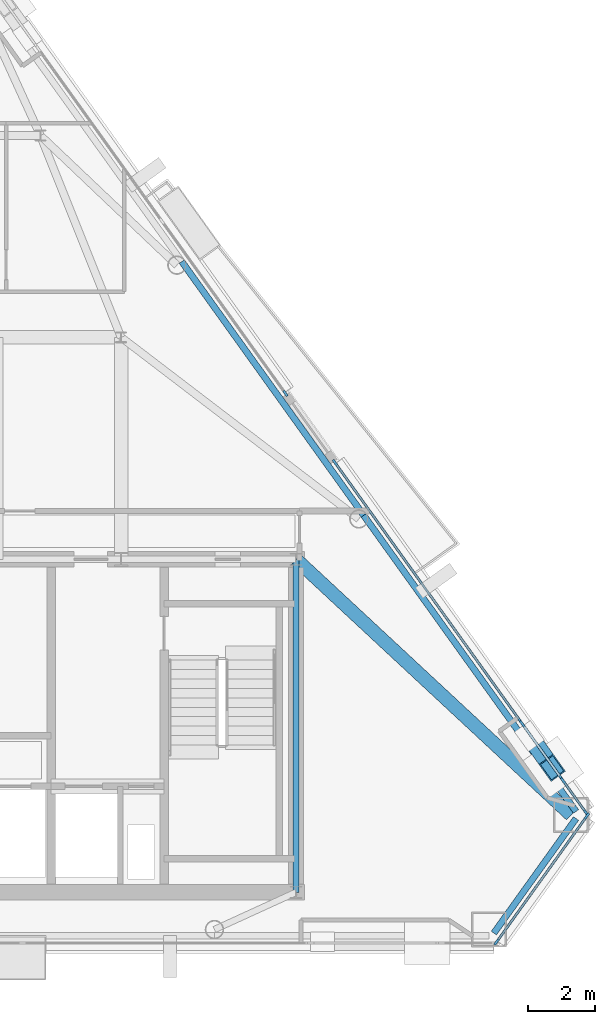
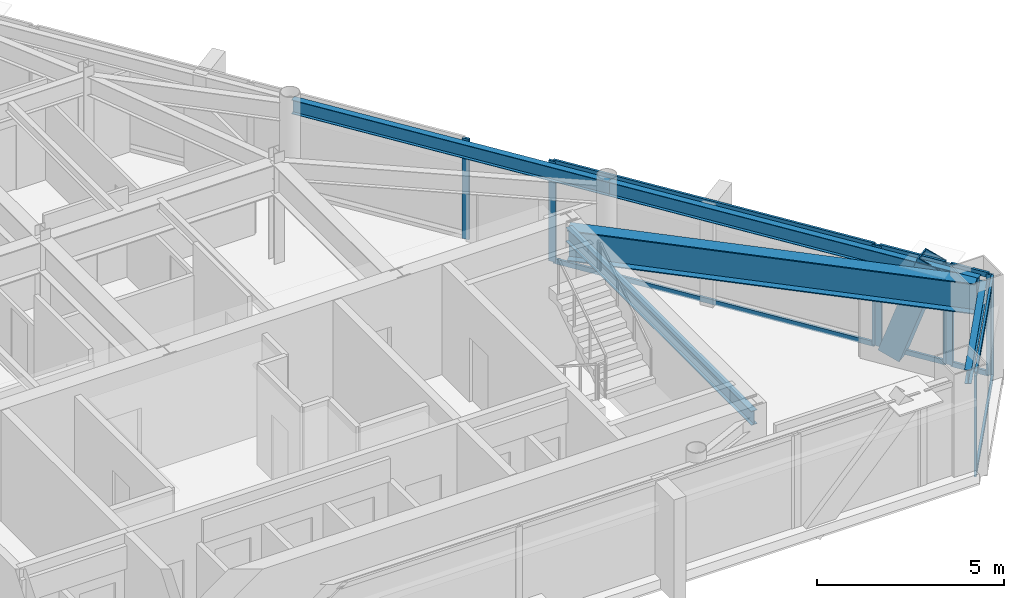
# One storey, part 5 of 11: 18 members, 5 beams, 5 elements without a shape of their own.
"""IFC4 building model written with IfcOpenShell, lengths in metres."""

from ifc_helpers import new_model, si_unit, direction, frame, origin, origin_2d, place, context, subcontext, project, spatial, rectangle, hollow_rectangle, i_section, extrude, material, layer, layer_set, material_profile, profile_set, type_object, element, aggregate, save


model = new_model("IFC4")

# Units and contexts
model_context = context("Model", 3, precision=1e-05, world=origin(), true_north=direction((0.0, 1.0)))
body_context = subcontext(model_context, "Body", "Model", "MODEL_VIEW")
ifc_project = project(units=[si_unit("LENGTHUNIT", "METRE"), si_unit("AREAUNIT", "SQUARE_METRE"), si_unit("VOLUMEUNIT", "CUBIC_METRE"), si_unit("PLANEANGLEUNIT", "RADIAN"), si_unit("MASSUNIT", "GRAM", prefix="KILO")], contexts=[model_context])

# Site, building, storey
site_placement = place(None, origin())
site = spatial("IfcSite", under=ifc_project, at=site_placement, CompositionType="ELEMENT")
building_placement = place(site_placement, origin())
building = spatial("IfcBuilding", under=site, at=building_placement, Name="Talgorran Terracotta Tower", CompositionType="ELEMENT")
storey_placement = place(building_placement, frame((0.0, 0.0, 240.60009765625)))
storey = spatial("IfcBuildingStorey", under=building, at=storey_placement, Name="L63", CompositionType="ELEMENT", Elevation=240.60009765625)

# Beams
ifc_material_1 = material(Name="Steel Grade 350 (350L0)", Category="steel")
ifc_material_profile_1 = material_profile(ifc_material_1, i_section(OverallWidth=0.39990234375, OverallDepth=1.0, WebThickness=0.01611328125, FlangeThickness=0.031005859375, at=origin_2d()), Name="1000WB296")
ifc_profile_set_1 = profile_set([ifc_material_profile_1], Name="Steel Grade 350 (350L0)")
beam_type_1 = type_object("IfcBeamType", Name="BM_1000WB296", PredefinedType="BEAM", material=ifc_profile_set_1)
beam_1_placement = place(storey_placement, frame((12.39990234375, -4.199951171875, 2.77978515625), z_axis=(0.732477257619, -0.68079150044, 0.0), x_axis=(0.68079150044, 0.732477257619, 0.0)))
element("IfcBeam", 1, at=beam_1_placement, inside=storey, type_object=beam_type_1, Name="L63 Floor Girder G18", PredefinedType="BEAM", context=body_context, shape_type="SweptSolid", body=[
    extrude(i_section(OverallWidth=0.39990234375, OverallDepth=1.0, WebThickness=0.01611328125, FlangeThickness=0.031005859375, at=origin_2d()), origin(), (0.0, 0.0, 1.0), 11.16650390625),
])
ifc_material_2 = material(Name="Steel S355 (300PLUS)", Category="steel")
ifc_material_profile_2 = material_profile(ifc_material_2, i_section(OverallWidth=0.18994140625, OverallDepth=0.45703125, WebThickness=0.009033203125, FlangeThickness=0.014404296875, at=origin_2d()), Name="460UB74.6")
ifc_profile_set_2 = profile_set([ifc_material_profile_2], Name="Steel S355 (300PLUS)")
beam_type_2 = type_object("IfcBeamType", Name="BM_SP_460UB74", PredefinedType="SPANDREL", material=ifc_profile_set_2)
beam_2_placement = place(storey_placement, frame((18.283447265625, -15.312744140625, 3.051513671875), z_axis=(0.582692129248, 0.812692981705, 0.0), x_axis=(-0.812692981705, 0.582692129248, 0.0)))
element("IfcBeam", 2, at=beam_2_placement, inside=storey, type_object=beam_type_2, Name="L63 Perimeter Spandrel Beam MC3-MC4", PredefinedType="SPANDREL", context=body_context, shape_type="SweptSolid", body=[
    extrude(i_section(OverallWidth=0.18994140625, OverallDepth=0.45703125, WebThickness=0.009033203125, FlangeThickness=0.014404296875, at=origin_2d()), origin(), (0.0, 0.0, 1.0), 4.190673828125),
])
beam_3_placement = place(storey_placement, frame((20.725341796875, -11.697021484375, 3.051513671875), z_axis=(-0.5826658635, 0.812711813321, 0.0), x_axis=(-0.812711813321, -0.5826658635, 0.0)))
element("IfcBeam", 3, at=beam_3_placement, inside=storey, type_object=beam_type_2, Name="L63 Perimeter Spandrel Beam MC4-FC3", PredefinedType="SPANDREL", context=body_context, shape_type="SweptSolid", body=[
    extrude(i_section(OverallWidth=0.18994140625, OverallDepth=0.45703125, WebThickness=0.009033203125, FlangeThickness=0.014404296875, at=origin_2d()), origin(), (0.0, 0.0, 1.0), 10.831298828125),
])
beam_4_placement = place(storey_placement, frame((14.414306640625, -2.894287109375, 3.051513671875), z_axis=(-0.582665161137, 0.812712316873, 0.0), x_axis=(-0.812712316873, -0.582665161137, 0.0)))
element("IfcBeam", 4, at=beam_4_placement, inside=storey, type_object=beam_type_2, Name="L63 Perimeter Spandrel Beam FC3-FC4", PredefinedType="SPANDREL", context=body_context, shape_type="SweptSolid", body=[
    extrude(i_section(OverallWidth=0.18994140625, OverallDepth=0.45703125, WebThickness=0.009033203125, FlangeThickness=0.014404296875, at=origin_2d()), origin(), (0.0, 0.0, 1.0), 9.283935546875),
])
beam_5_placement = place(storey_placement, frame((12.39990234375, -14.10009765625, 3.051513671875), z_axis=(0.0, 1.0, 0.0), x_axis=(-1.0, 0.0, 0.0)))
element("IfcBeam", 5, at=beam_5_placement, inside=storey, type_object=beam_type_2, Name="L63 Core Frame Beam CFE", PredefinedType="SPANDREL", context=body_context, shape_type="SweptSolid", body=[
    extrude(i_section(OverallWidth=0.18994140625, OverallDepth=0.45703125, WebThickness=0.009033203125, FlangeThickness=0.014404296875, at=origin_2d()), origin(), (0.0, 0.0, 1.0), 9.900146484375),
])

# Member
ifc_material_profile_3 = material_profile(ifc_material_1, hollow_rectangle(XDim=0.52001953125, YDim=0.659912109375, WallThickness=0.034912109375, at=origin_2d()), Name="WBOX660X520X35")
ifc_profile_set_3 = profile_set([ifc_material_profile_3], Name="Steel Grade 350 (350L0)")
member_type_1 = type_object("IfcMemberType", Name="MB_MEGA_660", PredefinedType="BRACE", material=ifc_profile_set_3)
member_1_placement = place(storey_placement, frame((19.33935546875, -9.455078125, -0.025146484375), z_axis=(0.191890418746, -0.267622063086, 0.944222695418), x_axis=(0.812681078827, 0.582708730085, 0.0)))
element("IfcMember", 6, at=member_1_placement, inside=storey, type_object=member_type_1, Name="L63 Exterior Face Mega-Brace MB-3 (NEL)", PredefinedType="BRACE", context=body_context, shape_type="SweptSolid", body=[
    extrude(hollow_rectangle(XDim=0.52001953125, YDim=0.659912109375, WallThickness=0.034912109375, at=origin_2d()), origin(), (0.0, 0.0, 1.0), 3.52685546875),
])

# Curtain wall, members
ifc_material_3 = material(Name="High-Wind Unitised Glazing", Category="glass")
ifc_layer = layer(ifc_material_3, 0.2099609375, Name="CW_SYS3_RES_HIGH")
ifc_layer_set = layer_set([ifc_layer], Name="High-Wind Unitised Glazing")
curtain_wall_type = type_object("IfcCurtainWallType", Name="CW_SYS3_RES_HIGH", PredefinedType="NOTDEFINED", material=ifc_layer_set)
curtain_wall_1_placement = place(storey_placement, origin())
curtain_wall_1 = element("IfcCurtainWall", 7, at=curtain_wall_1_placement, inside=storey, type_object=curtain_wall_type, Name="CW-L63-F2", PredefinedType="NOTDEFINED")
ifc_material_4 = material(Name="Architectural Aluminium 6063-T6", Category="aluminium")
ifc_material_profile_4 = material_profile(ifc_material_4, rectangle(XDim=0.070068359375, YDim=0.199951171875, at=origin_2d()), Name="CWM70X200")
ifc_profile_set_4 = profile_set([ifc_material_profile_4], Name="Architectural Aluminium 6063-T6")
member_type_2 = type_object("IfcMemberType", Name="MUL_70X200", PredefinedType="MULLION", material=ifc_profile_set_4)
member_2_placement = place(storey_placement, frame((18.363037109375, -15.579345703125, 0.0), z_axis=(0.0, 0.0, 1.0), x_axis=(-0.812714993724, 0.582661427396, 0.0)))
member_2 = element("IfcMember", 8, at=member_2_placement, type_object=member_type_2, Name="CW-L63-2 mullion 1", PredefinedType="MULLION", context=body_context, shape_type="SweptSolid", body=[
    extrude(rectangle(XDim=0.070068359375, YDim=0.199951171875, at=origin_2d()), origin(), (0.0, 0.0, 1.0), 3.27978515625),
])
member_3_placement = place(storey_placement, frame((21.05078125, -11.83056640625, 0.0), z_axis=(0.0, 0.0, 1.0), x_axis=(-0.812714993724, 0.582661427396, 0.0)))
member_3 = element("IfcMember", 9, at=member_3_placement, type_object=member_type_2, Name="CW-L63-2 mullion 2", PredefinedType="MULLION", context=body_context, shape_type="SweptSolid", body=[
    extrude(rectangle(XDim=0.070068359375, YDim=0.199951171875, at=origin_2d()), origin(), (0.0, 0.0, 1.0), 3.27978515625),
])

curtain_wall_2_placement = place(storey_placement, origin())
curtain_wall_2 = element("IfcCurtainWall", 10, at=curtain_wall_2_placement, inside=storey, type_object=curtain_wall_type, Name="CW-L63-F40", PredefinedType="NOTDEFINED")
member_4_placement = place(storey_placement, frame((21.02734375, -11.740966796875, 0.0), z_axis=(0.0, 0.0, 1.0), x_axis=(-0.812703976613, -0.582676794113, 0.0)))
member_4 = element("IfcMember", 11, at=member_4_placement, type_object=member_type_2, Name="CW-L63-40 mullion 1", PredefinedType="MULLION", context=body_context, shape_type="SweptSolid", body=[
    extrude(rectangle(XDim=0.070068359375, YDim=0.199951171875, at=origin_2d()), origin(), (0.0, 0.0, 1.0), 3.27978515625),
])
member_5_placement = place(storey_placement, frame((20.340576171875, -10.783203125, 0.0), z_axis=(0.0, 0.0, 1.0), x_axis=(-0.812703976613, -0.582676794113, 0.0)))
member_5 = element("IfcMember", 12, at=member_5_placement, type_object=member_type_2, Name="CW-L63-40 mullion 2", PredefinedType="MULLION", context=body_context, shape_type="SweptSolid", body=[
    extrude(rectangle(XDim=0.070068359375, YDim=0.199951171875, at=origin_2d()), origin(), (0.0, 0.0, 1.0), 3.27978515625),
])

curtain_wall_3_placement = place(storey_placement, origin())
curtain_wall_3 = element("IfcCurtainWall", 13, at=curtain_wall_3_placement, inside=storey, type_object=curtain_wall_type, Name="CW-L63-F40B", PredefinedType="NOTDEFINED")
member_6_placement = place(storey_placement, frame((20.294189453125, -10.71826171875, 0.0), z_axis=(0.0, 0.0, 1.0), x_axis=(-0.812719360435, -0.582655336519, 0.0)))
member_6 = element("IfcMember", 14, at=member_6_placement, type_object=member_type_2, Name="CW-L63-40B mullion 1", PredefinedType="MULLION", context=body_context, shape_type="SweptSolid", body=[
    extrude(rectangle(XDim=0.070068359375, YDim=0.199951171875, at=origin_2d()), origin(), (0.0, 0.0, 1.0), 3.27978515625),
])
member_7_placement = place(storey_placement, frame((19.1259765625, -9.089111328125, 0.0), z_axis=(0.0, 0.0, 1.0), x_axis=(-0.812719360435, -0.582655336519, 0.0)))
member_7 = element("IfcMember", 15, at=member_7_placement, type_object=member_type_2, Name="CW-L63-40B mullion 2", PredefinedType="MULLION", context=body_context, shape_type="SweptSolid", body=[
    extrude(rectangle(XDim=0.070068359375, YDim=0.199951171875, at=origin_2d()), origin(), (0.0, 0.0, 1.0), 3.27978515625),
])

curtain_wall_4_placement = place(storey_placement, origin())
curtain_wall_4 = element("IfcCurtainWall", 16, at=curtain_wall_4_placement, inside=storey, type_object=curtain_wall_type, Name="CW-L63-F40C", PredefinedType="NOTDEFINED")
member_8_placement = place(storey_placement, frame((19.07958984375, -9.024169921875, 0.0), z_axis=(0.0, 0.0, 1.0), x_axis=(-0.812712204351, -0.582665318085, 0.0)))
member_8 = element("IfcMember", 17, at=member_8_placement, type_object=member_type_2, Name="CW-L63-40C mullion 1", PredefinedType="MULLION", context=body_context, shape_type="SweptSolid", body=[
    extrude(rectangle(XDim=0.070068359375, YDim=0.199951171875, at=origin_2d()), origin(), (0.0, 0.0, 1.0), 3.27978515625),
])
member_9_placement = place(storey_placement, frame((13.55859375, -1.3232421875, 0.0), z_axis=(0.0, 0.0, 1.0), x_axis=(-0.812712204351, -0.582665318085, 0.0)))
member_9 = element("IfcMember", 18, at=member_9_placement, type_object=member_type_2, Name="CW-L63-40C mullion 2", PredefinedType="MULLION", context=body_context, shape_type="SweptSolid", body=[
    extrude(rectangle(XDim=0.070068359375, YDim=0.199951171875, at=origin_2d()), origin(), (0.0, 0.0, 1.0), 3.27978515625),
])

# Curtain wall, member
curtain_wall_5_placement = place(storey_placement, origin())
curtain_wall_5 = element("IfcCurtainWall", 19, at=curtain_wall_5_placement, inside=storey, type_object=curtain_wall_type, Name="CW-L63-F41", PredefinedType="NOTDEFINED")
member_10_placement = place(storey_placement, frame((12.08447265625, 0.73291015625, 0.0), z_axis=(0.0, 0.0, 1.0), x_axis=(-0.812715136848, -0.582661227763, 0.0)))
member_10 = element("IfcMember", 20, at=member_10_placement, type_object=member_type_2, Name="CW-L63-41 mullion 1", PredefinedType="MULLION", context=body_context, shape_type="SweptSolid", body=[
    extrude(rectangle(XDim=0.070068359375, YDim=0.199951171875, at=origin_2d()), origin(), (0.0, 0.0, 1.0), 3.27978515625),
])
aggregate(curtain_wall_5, [member_10])

# Member
ifc_material_profile_5 = material_profile(ifc_material_4, rectangle(XDim=0.070068359375, YDim=0.159912109375, at=origin_2d()), Name="CWT70X160")
ifc_profile_set_5 = profile_set([ifc_material_profile_5], Name="Architectural Aluminium 6063-T6")
member_type_3 = type_object("IfcMemberType", Name="TRN_70X160", PredefinedType="USERDEFINED", material=ifc_profile_set_5)
member_11_placement = place(storey_placement, frame((18.38330078125, -15.551025390625, 0.034912109375), z_axis=(0.582655627037, 0.812719152157, 0.0), x_axis=(-0.812719152157, 0.582655627037, 0.0)))
member_11 = element("IfcMember", 21, at=member_11_placement, type_object=member_type_3, Name="CW-L63-2 transom 1.1", ObjectType="TRANSOM", PredefinedType="USERDEFINED", context=body_context, shape_type="SweptSolid", body=[
    extrude(rectangle(XDim=0.070068359375, YDim=0.159912109375, at=origin_2d()), origin(), (0.0, 0.0, 1.0), 4.54296875),
])

member_12_placement = place(storey_placement, frame((18.38330078125, -15.551025390625, 3.244873046875), z_axis=(0.582655627037, 0.812719152157, 0.0), x_axis=(-0.812719152157, 0.582655627037, 0.0)))
member_12 = element("IfcMember", 22, at=member_12_placement, type_object=member_type_3, Name="CW-L63-2 transom 1.2", ObjectType="TRANSOM", PredefinedType="USERDEFINED", context=body_context, shape_type="SweptSolid", body=[
    extrude(rectangle(XDim=0.070068359375, YDim=0.159912109375, at=origin_2d()), origin(), (0.0, 0.0, 1.0), 4.54296875),
])

aggregate(curtain_wall_1, [member_2, member_3, member_11, member_12])

member_13_placement = place(storey_placement, frame((21.007080078125, -11.712646484375, 0.034912109375), z_axis=(-0.582737173234, 0.812660683761, 0.0), x_axis=(-0.812660683761, -0.582737173234, 0.0)))
member_13 = element("IfcMember", 23, at=member_13_placement, type_object=member_type_3, Name="CW-L63-40 transom 1.1", ObjectType="TRANSOM", PredefinedType="USERDEFINED", context=body_context, shape_type="SweptSolid", body=[
    extrude(rectangle(XDim=0.070068359375, YDim=0.159912109375, at=origin_2d()), origin(), (0.0, 0.0, 1.0), 1.108642578125),
])

member_14_placement = place(storey_placement, frame((21.007080078125, -11.712646484375, 3.244873046875), z_axis=(-0.582737173234, 0.812660683761, 0.0), x_axis=(-0.812660683761, -0.582737173234, 0.0)))
member_14 = element("IfcMember", 24, at=member_14_placement, type_object=member_type_3, Name="CW-L63-40 transom 1.2", ObjectType="TRANSOM", PredefinedType="USERDEFINED", context=body_context, shape_type="SweptSolid", body=[
    extrude(rectangle(XDim=0.070068359375, YDim=0.159912109375, at=origin_2d()), origin(), (0.0, 0.0, 1.0), 1.108642578125),
])

aggregate(curtain_wall_2, [member_4, member_5, member_13, member_14])

member_15_placement = place(storey_placement, frame((20.273681640625, -10.689697265625, 0.034912109375), z_axis=(-0.582657892402, 0.812717528063, 0.0), x_axis=(-0.812717528063, -0.582657892402, 0.0)))
member_15 = element("IfcMember", 25, at=member_15_placement, type_object=member_type_3, Name="CW-L63-40B transom 1.1", ObjectType="TRANSOM", PredefinedType="USERDEFINED", context=body_context, shape_type="SweptSolid", body=[
    extrude(rectangle(XDim=0.070068359375, YDim=0.159912109375, at=origin_2d()), origin(), (0.0, 0.0, 1.0), 1.9345703125),
])

member_16_placement = place(storey_placement, frame((20.273681640625, -10.689697265625, 3.244873046875), z_axis=(-0.582657892402, 0.812717528063, 0.0), x_axis=(-0.812717528063, -0.582657892402, 0.0)))
member_16 = element("IfcMember", 26, at=member_16_placement, type_object=member_type_3, Name="CW-L63-40B transom 1.2", ObjectType="TRANSOM", PredefinedType="USERDEFINED", context=body_context, shape_type="SweptSolid", body=[
    extrude(rectangle(XDim=0.070068359375, YDim=0.159912109375, at=origin_2d()), origin(), (0.0, 0.0, 1.0), 1.9345703125),
])

aggregate(curtain_wall_3, [member_6, member_7, member_15, member_16])

member_17_placement = place(storey_placement, frame((19.05908203125, -8.99560546875, 0.034912109375), z_axis=(-0.582671275757, 0.812707933028, 0.0), x_axis=(-0.812707933028, -0.582671275757, 0.0)))
member_17 = element("IfcMember", 27, at=member_17_placement, type_object=member_type_3, Name="CW-L63-40C transom 1.1", ObjectType="TRANSOM", PredefinedType="USERDEFINED", context=body_context, shape_type="SweptSolid", body=[
    extrude(rectangle(XDim=0.070068359375, YDim=0.159912109375, at=origin_2d()), origin(), (0.0, 0.0, 1.0), 9.4052734375),
])

member_18_placement = place(storey_placement, frame((19.05908203125, -8.99560546875, 3.244873046875), z_axis=(-0.582671275757, 0.812707933028, 0.0), x_axis=(-0.812707933028, -0.582671275757, 0.0)))
member_18 = element("IfcMember", 28, at=member_18_placement, type_object=member_type_3, Name="CW-L63-40C transom 1.2", ObjectType="TRANSOM", PredefinedType="USERDEFINED", context=body_context, shape_type="SweptSolid", body=[
    extrude(rectangle(XDim=0.070068359375, YDim=0.159912109375, at=origin_2d()), origin(), (0.0, 0.0, 1.0), 9.4052734375),
])

aggregate(curtain_wall_4, [member_8, member_9, member_17, member_18])

save(model, "model.ifc")
